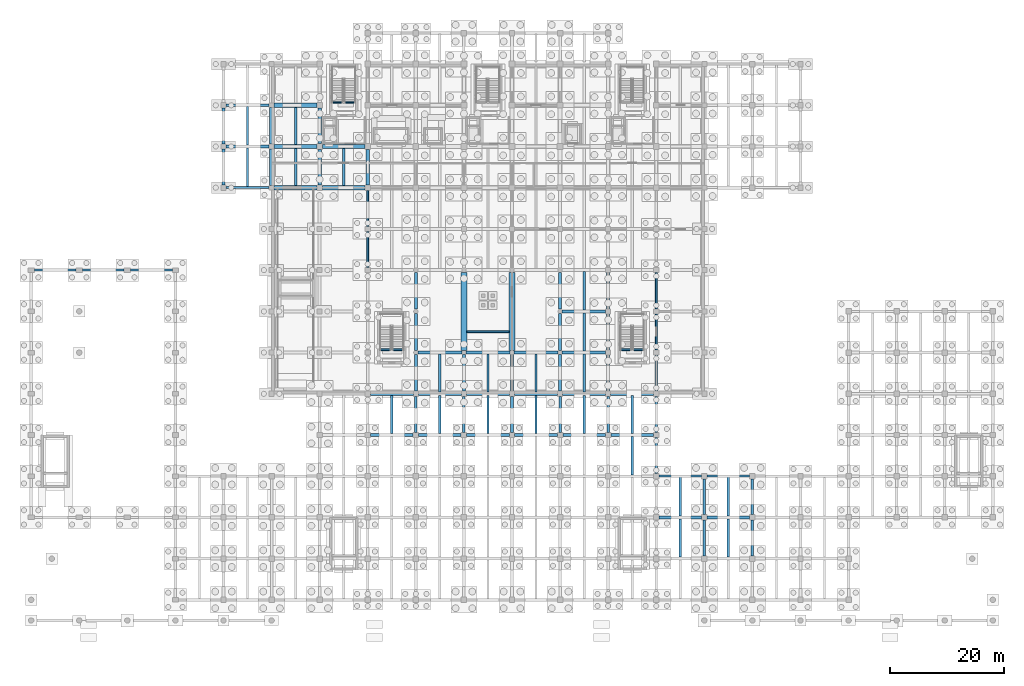
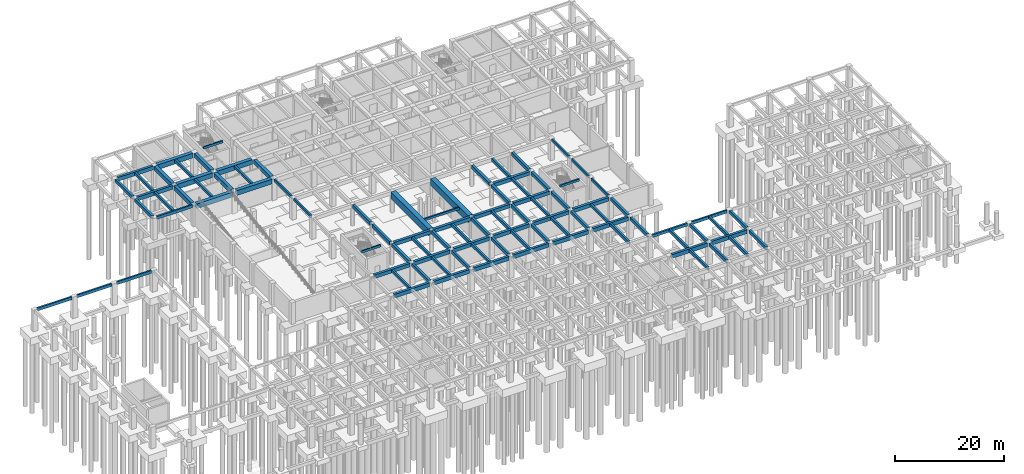
# One storey, part 14 of 26: 94 beams.
"""IFC4 building model written with IfcOpenShell, lengths in metres."""

from ifc_helpers import new_model, si_unit, direction, frame, origin, origin_2d, place, context, subcontext, project, spatial, rectangle, extrude, material, material_profile, profile_set, type_object, element, save


model = new_model("IFC4")

# Units and contexts
model_context = context("Model", 3, precision=1e-05, world=origin(), true_north=direction((0.0, 1.0)))
body_context = subcontext(model_context, "Body", "Model", "MODEL_VIEW")
ifc_project = project(units=[si_unit("LENGTHUNIT", "METRE"), si_unit("AREAUNIT", "SQUARE_METRE"), si_unit("VOLUMEUNIT", "CUBIC_METRE"), si_unit("PLANEANGLEUNIT", "RADIAN"), si_unit("MASSUNIT", "GRAM", prefix="KILO")], contexts=[model_context])

# Site, building, storey
site_placement = place(None, origin())
site = spatial("IfcSite", under=ifc_project, at=site_placement, CompositionType="ELEMENT")
building_placement = place(site_placement, origin())
building = spatial("IfcBuilding", under=site, at=building_placement, Name="Kenerak Square Central Library", CompositionType="ELEMENT")
storey_placement = place(building_placement, frame((0.0, 0.0, -4.800048828125)))
storey = spatial("IfcBuildingStorey", under=building, at=storey_placement, Name="B1", CompositionType="ELEMENT", Elevation=-4.800048828125)

# Beams
ifc_material_1 = material(Name="Concrete C45/55", Category="concrete")
ifc_material_profile_1 = material_profile(ifc_material_1, rectangle(XDim=0.64990234375, YDim=0.949951171875, at=origin_2d()), Name="RC 650x950")
ifc_profile_set_1 = profile_set([ifc_material_profile_1], Name="Concrete C45/55")
beam_type_1 = type_object("IfcBeamType", Name="Book Stack Girder B-02 RC 650x950 C45/55", PredefinedType="BEAM", material=ifc_profile_set_1)
for number, where, z_axis, x_axis, name in (
    (1, (50.0, 89.22509765625, 4.324951171875), (0.0, 1.0, 0.0), (-1.0, 0.0, 0.0), "Beam B-02 B1 0182"),
    (2, (50.0, 96.425048828125, 4.324951171875), (0.0, 1.0, 0.0), (-1.0, 0.0, 0.0), "Beam B-02 B1 0183"),
):
    element("IfcBeam", number, at=place(storey_placement, frame(where, z_axis=z_axis, x_axis=x_axis)), inside=storey, type_object=beam_type_1, Name=name, PredefinedType="BEAM", context=body_context, shape_type="SweptSolid", body=[
        extrude(rectangle(XDim=0.64990234375, YDim=0.949951171875, at=origin_2d()), origin(), (0.0, 0.0, 1.0), 6.349853515625),
    ])
for number, where, z_axis, x_axis, name in (
    (3, (58.39990234375, 89.300048828125, 4.324951171875), (0.0, 1.0, 0.0), (-1.0, 0.0, 0.0), "Beam B-02 B1 0190"),
    (4, (58.39990234375, 96.5, 4.324951171875), (0.0, 1.0, 0.0), (-1.0, 0.0, 0.0), "Beam B-02 B1 0191"),
    (5, (66.800048828125, 89.300048828125, 4.324951171875), (0.0, 1.0, 0.0), (-1.0, 0.0, 0.0), "Beam B-02 B1 0203"),
):
    element("IfcBeam", number, at=place(storey_placement, frame(where, z_axis=z_axis, x_axis=x_axis)), inside=storey, type_object=beam_type_1, Name=name, PredefinedType="BEAM", context=body_context, shape_type="SweptSolid", body=[
        extrude(rectangle(XDim=0.64990234375, YDim=0.949951171875, at=origin_2d()), origin(), (0.0, 0.0, 1.0), 6.199951171875),
    ])
ifc_material_profile_2 = material_profile(ifc_material_1, rectangle(XDim=0.75, YDim=1.050048828125, at=origin_2d()), Name="RC 750x1050")
ifc_profile_set_2 = profile_set([ifc_material_profile_2], Name="Concrete C45/55")
beam_type_2 = type_object("IfcBeamType", Name="Compact Stack Girder B-01 RC 750x1050 C45/55", PredefinedType="BEAM", material=ifc_profile_set_2)
beam_1_placement = place(storey_placement, frame((50.425048828125, 88.800048828125, 4.275146484375), z_axis=(1.0, 0.0, 0.0), x_axis=(0.0, 1.0, 0.0)))
element("IfcBeam", 6, at=beam_1_placement, inside=storey, type_object=beam_type_2, Name="Beam B-01 B1 0113", PredefinedType="BEAM", context=body_context, shape_type="SweptSolid", body=[
    extrude(rectangle(XDim=0.75, YDim=1.050048828125, at=origin_2d()), origin(), (0.0, 0.0, 1.0), 7.474853515625),
])
beam_2_placement = place(storey_placement, frame((58.89990234375, 88.800048828125, 4.275146484375), z_axis=(1.0, 0.0, 0.0), x_axis=(0.0, 1.0, 0.0)))
element("IfcBeam", 7, at=beam_2_placement, inside=storey, type_object=beam_type_2, Name="Beam B-01 B1 0114", PredefinedType="BEAM", context=body_context, shape_type="SweptSolid", body=[
    extrude(rectangle(XDim=0.75, YDim=1.050048828125, at=origin_2d()), origin(), (0.0, 0.0, 1.0), 7.400146484375),
])
beam_3_placement = place(storey_placement, frame((50.425048828125, 96.0, 4.275146484375), z_axis=(1.0, 0.0, 0.0), x_axis=(0.0, 1.0, 0.0)))
element("IfcBeam", 8, at=beam_3_placement, inside=storey, type_object=beam_type_2, Name="Beam B-01 B1 0125", PredefinedType="BEAM", context=body_context, shape_type="SweptSolid", body=[
    extrude(rectangle(XDim=0.75, YDim=1.050048828125, at=origin_2d()), origin(), (0.0, 0.0, 1.0), 7.474853515625),
])
beam_4_placement = place(storey_placement, frame((58.89990234375, 96.0, 4.275146484375), z_axis=(1.0, 0.0, 0.0), x_axis=(0.0, 1.0, 0.0)))
element("IfcBeam", 9, at=beam_4_placement, inside=storey, type_object=beam_type_2, Name="Beam B-01 B1 0126", PredefinedType="BEAM", context=body_context, shape_type="SweptSolid", body=[
    extrude(rectangle(XDim=0.75, YDim=1.050048828125, at=origin_2d()), origin(), (0.0, 0.0, 1.0), 7.400146484375),
])
beam_5_placement = place(storey_placement, frame((50.425048828125, 103.199951171875, 4.275146484375), z_axis=(1.0, 0.0, 0.0), x_axis=(0.0, 1.0, 0.0)))
element("IfcBeam", 10, at=beam_5_placement, inside=storey, type_object=beam_type_2, Name="Beam B-01 B1 0137", PredefinedType="BEAM", context=body_context, shape_type="SweptSolid", body=[
    extrude(rectangle(XDim=0.75, YDim=1.050048828125, at=origin_2d()), origin(), (0.0, 0.0, 1.0), 7.474853515625),
])
ifc_material_2 = material(Name="Concrete C40/50", Category="concrete")
ifc_material_profile_3 = material_profile(ifc_material_2, rectangle(XDim=0.300048828125, YDim=0.60009765625, at=origin_2d()), Name="RC 300x600")
ifc_profile_set_3 = profile_set([ifc_material_profile_3], Name="Concrete C40/50")
beam_type_3 = type_object("IfcBeamType", Name="Courtyard Spandrel Beam SP-02 RC 300x600 C40/50", PredefinedType="SPANDREL", material=ifc_profile_set_3)
beam_6_placement = place(storey_placement, frame((66.800048828125, 74.85009765625, 4.5), z_axis=(0.0, 1.0, 0.0), x_axis=(-1.0, 0.0, 0.0)))
element("IfcBeam", 11, at=beam_6_placement, inside=storey, type_object=beam_type_3, Name="Beam SP-02 B1 0201", PredefinedType="SPANDREL", context=body_context, shape_type="SweptSolid", body=[
    extrude(rectangle(XDim=0.300048828125, YDim=0.60009765625, at=origin_2d()), origin(), (0.0, 0.0, 1.0), 6.2998046875),
])
beam_7_placement = place(storey_placement, frame((66.800048828125, 82.050048828125, 4.5), z_axis=(0.0, 1.0, 0.0), x_axis=(-1.0, 0.0, 0.0)))
element("IfcBeam", 12, at=beam_7_placement, inside=storey, type_object=beam_type_3, Name="Beam SP-02 B1 0202", PredefinedType="SPANDREL", context=body_context, shape_type="SweptSolid", body=[
    extrude(rectangle(XDim=0.300048828125, YDim=0.60009765625, at=origin_2d()), origin(), (0.0, 0.0, 1.0), 6.25),
])
for number, where, z_axis, x_axis, name in (
    (13, (117.199951171875, 53.25, 4.5), (0.0, 1.0, 0.0), (-1.0, 0.0, 0.0), "Beam SP-02 B1 0278"),
    (14, (117.199951171875, 60.449951171875, 4.5), (0.0, 1.0, 0.0), (-1.0, 0.0, 0.0), "Beam SP-02 B1 0279"),
    (15, (117.199951171875, 67.64990234375, 4.5), (0.0, 1.0, 0.0), (-1.0, 0.0, 0.0), "Beam SP-02 B1 0280"),
):
    element("IfcBeam", number, at=place(storey_placement, frame(where, z_axis=z_axis, x_axis=x_axis)), inside=storey, type_object=beam_type_3, Name=name, PredefinedType="SPANDREL", context=body_context, shape_type="SweptSolid", body=[
        extrude(rectangle(XDim=0.300048828125, YDim=0.60009765625, at=origin_2d()), origin(), (0.0, 0.0, 1.0), 6.300048828125),
    ])
ifc_material_profile_4 = material_profile(ifc_material_2, rectangle(XDim=0.300048828125, YDim=0.5, at=origin_2d()), Name="RC 300x500")
ifc_profile_set_4 = profile_set([ifc_material_profile_4], Name="Concrete C40/50")
beam_type_4 = type_object("IfcBeamType", Name="Landing Support Beam B-08 RC 300x500 C40/50", PredefinedType="BEAM", material=ifc_profile_set_4)
beam_8_placement = place(storey_placement, frame((84.10009765625, 63.64990234375, 4.550048828125), z_axis=(1.0, 0.0, 0.0), x_axis=(0.0, 1.0, 0.0)))
element("IfcBeam", 16, at=beam_8_placement, inside=storey, type_object=beam_type_4, Name="Feature Stair ST-F1 Threshold Beam B-08", PredefinedType="BEAM", context=body_context, shape_type="SweptSolid", body=[
    extrude(rectangle(XDim=0.300048828125, YDim=0.5, at=origin_2d()), origin(), (0.0, 0.0, 1.0), 7.39990234375),
])
beam_9_placement = place(storey_placement, frame((60.52001953125, 103.7099609375, 4.550048828125), z_axis=(1.0, 0.0, 0.0), x_axis=(0.0, 1.0, 0.0)))
element("IfcBeam", 17, at=beam_9_placement, inside=storey, type_object=beam_type_4, Name="Stair Threshold Beam B-08 ST-01 L00", PredefinedType="BEAM", context=body_context, shape_type="SweptSolid", body=[
    extrude(rectangle(XDim=0.300048828125, YDim=0.5, at=origin_2d()), origin(), (0.0, 0.0, 1.0), 4.159912109375),
])
for number, where, z_axis, x_axis, name in (
    (18, (68.919921875, 60.510009765625, 4.550048828125), (1.0, 0.0, 0.0), (0.0, 1.0, 0.0), "Stair Threshold Beam B-08 ST-08 L00"),
    (19, (110.919921875, 60.510009765625, 4.550048828125), (1.0, 0.0, 0.0), (0.0, 1.0, 0.0), "Stair Threshold Beam B-08 ST-09 L00"),
):
    element("IfcBeam", number, at=place(storey_placement, frame(where, z_axis=z_axis, x_axis=x_axis)), inside=storey, type_object=beam_type_4, Name=name, PredefinedType="BEAM", context=body_context, shape_type="SweptSolid", body=[
        extrude(rectangle(XDim=0.300048828125, YDim=0.5, at=origin_2d()), origin(), (0.0, 0.0, 1.0), 4.16015625),
    ])
ifc_material_profile_5 = material_profile(ifc_material_2, rectangle(XDim=0.35009765625, YDim=0.64990234375, at=origin_2d()), Name="RC 350x650")
ifc_profile_set_5 = profile_set([ifc_material_profile_5], Name="Concrete C40/50")
beam_type_5 = type_object("IfcBeamType", Name="Perimeter Plinth Spandrel SP-03 RC 350x650 C40/50", PredefinedType="SPANDREL", material=ifc_profile_set_5)
for number, where, z_axis, x_axis, name in (
    (20, (117.675048828125, 38.39990234375, 4.47509765625), (1.0, 0.0, 0.0), (0.0, 1.0, 0.0), "Beam SP-03 B1 0059"),
    (21, (126.074951171875, 38.39990234375, 4.47509765625), (1.0, 0.0, 0.0), (0.0, 1.0, 0.0), "Beam SP-03 B1 0060"),
):
    element("IfcBeam", number, at=place(storey_placement, frame(where, z_axis=z_axis, x_axis=x_axis)), inside=storey, type_object=beam_type_5, Name=name, PredefinedType="SPANDREL", context=body_context, shape_type="SweptSolid", body=[
        extrude(rectangle(XDim=0.35009765625, YDim=0.64990234375, at=origin_2d()), origin(), (0.0, 0.0, 1.0), 7.449951171875),
    ])
for number, where, z_axis, x_axis, name in (
    (22, (8.550048828125, 74.39990234375, 4.47509765625), (1.0, 0.0, 0.0), (0.0, 1.0, 0.0), "Beam SP-03 B1 0097"),
    (23, (16.949951171875, 74.39990234375, 4.47509765625), (1.0, 0.0, 0.0), (0.0, 1.0, 0.0), "Beam SP-03 B1 0098"),
):
    element("IfcBeam", number, at=place(storey_placement, frame(where, z_axis=z_axis, x_axis=x_axis)), inside=storey, type_object=beam_type_5, Name=name, PredefinedType="SPANDREL", context=body_context, shape_type="SweptSolid", body=[
        extrude(rectangle(XDim=0.35009765625, YDim=0.64990234375, at=origin_2d()), origin(), (0.0, 0.0, 1.0), 7.300048828125),
    ])
beam_10_placement = place(storey_placement, frame((25.35009765625, 74.39990234375, 4.47509765625), z_axis=(1.0, 0.0, 0.0), x_axis=(0.0, 1.0, 0.0)))
element("IfcBeam", 24, at=beam_10_placement, inside=storey, type_object=beam_type_5, Name="Beam SP-03 B1 0099", PredefinedType="SPANDREL", context=body_context, shape_type="SweptSolid", body=[
    extrude(rectangle(XDim=0.35009765625, YDim=0.64990234375, at=origin_2d()), origin(), (0.0, 0.0, 1.0), 7.2998046875),
])
beam_11_placement = place(storey_placement, frame((42.074951171875, 88.800048828125, 4.47509765625), z_axis=(1.0, 0.0, 0.0), x_axis=(0.0, 1.0, 0.0)))
element("IfcBeam", 25, at=beam_11_placement, inside=storey, type_object=beam_type_5, Name="Beam SP-03 B1 0112", PredefinedType="SPANDREL", context=body_context, shape_type="SweptSolid", body=[
    extrude(rectangle(XDim=0.35009765625, YDim=0.64990234375, at=origin_2d()), origin(), (0.0, 0.0, 1.0), 7.5),
])
ifc_material_profile_6 = material_profile(ifc_material_2, rectangle(XDim=0.550048828125, YDim=0.800048828125, at=origin_2d()), Name="RC 550x800")
ifc_profile_set_6 = profile_set([ifc_material_profile_6], Name="Concrete C40/50")
beam_type_6 = type_object("IfcBeamType", Name="Primary Reading Beam B-04 RC 550x800 C40/50", PredefinedType="BEAM", material=ifc_profile_set_6)
for number, where, z_axis, x_axis, name in (
    (26, (67.25, 52.800048828125, 4.400146484375), (1.0, 0.0, 0.0), (0.0, 1.0, 0.0), "Beam B-04 B1 0077"),
    (27, (75.64990234375, 52.800048828125, 4.400146484375), (1.0, 0.0, 0.0), (0.0, 1.0, 0.0), "Beam B-04 B1 0078"),
    (28, (84.050048828125, 52.800048828125, 4.400146484375), (1.0, 0.0, 0.0), (0.0, 1.0, 0.0), "Beam B-04 B1 0079"),
    (29, (92.449951171875, 52.800048828125, 4.400146484375), (1.0, 0.0, 0.0), (0.0, 1.0, 0.0), "Beam B-04 B1 0080"),
    (30, (100.85009765625, 52.800048828125, 4.400146484375), (1.0, 0.0, 0.0), (0.0, 1.0, 0.0), "Beam B-04 B1 0081"),
    (31, (109.25, 52.800048828125, 4.400146484375), (1.0, 0.0, 0.0), (0.0, 1.0, 0.0), "Beam B-04 B1 0082"),
):
    element("IfcBeam", number, at=place(storey_placement, frame(where, z_axis=z_axis, x_axis=x_axis)), inside=storey, type_object=beam_type_6, Name=name, PredefinedType="BEAM", context=body_context, shape_type="SweptSolid", body=[
        extrude(rectangle(XDim=0.550048828125, YDim=0.800048828125, at=origin_2d()), origin(), (0.0, 0.0, 1.0), 7.5),
    ])
beam_12_placement = place(storey_placement, frame((75.574951171875, 60.0, 4.400146484375), z_axis=(1.0, 0.0, 0.0), x_axis=(0.0, 1.0, 0.0)))
element("IfcBeam", 32, at=beam_12_placement, inside=storey, type_object=beam_type_6, Name="Beam B-04 B1 0086", PredefinedType="BEAM", context=body_context, shape_type="SweptSolid", body=[
    extrude(rectangle(XDim=0.550048828125, YDim=0.800048828125, at=origin_2d()), origin(), (0.0, 0.0, 1.0), 7.650146484375),
])
for number, where, z_axis, x_axis, name in (
    (33, (83.97509765625, 60.0, 4.400146484375), (1.0, 0.0, 0.0), (0.0, 1.0, 0.0), "Beam B-04 B1 0087"),
    (34, (92.375, 60.0, 4.400146484375), (1.0, 0.0, 0.0), (0.0, 1.0, 0.0), "Beam B-04 B1 0088"),
):
    element("IfcBeam", number, at=place(storey_placement, frame(where, z_axis=z_axis, x_axis=x_axis)), inside=storey, type_object=beam_type_6, Name=name, PredefinedType="BEAM", context=body_context, shape_type="SweptSolid", body=[
        extrude(rectangle(XDim=0.550048828125, YDim=0.800048828125, at=origin_2d()), origin(), (0.0, 0.0, 1.0), 7.64990234375),
    ])
for number, where, z_axis, x_axis, name in (
    (35, (100.77490234375, 60.0, 4.400146484375), (1.0, 0.0, 0.0), (0.0, 1.0, 0.0), "Beam B-04 B1 0089"),
    (36, (100.77490234375, 67.199951171875, 4.400146484375), (1.0, 0.0, 0.0), (0.0, 1.0, 0.0), "Beam B-04 B1 0093"),
):
    element("IfcBeam", number, at=place(storey_placement, frame(where, z_axis=z_axis, x_axis=x_axis)), inside=storey, type_object=beam_type_6, Name=name, PredefinedType="BEAM", context=body_context, shape_type="SweptSolid", body=[
        extrude(rectangle(XDim=0.550048828125, YDim=0.800048828125, at=origin_2d()), origin(), (0.0, 0.0, 1.0), 7.5751953125),
    ])
ifc_material_profile_7 = material_profile(ifc_material_2, rectangle(XDim=0.39990234375, YDim=0.60009765625, at=origin_2d()), Name="RC 400x600")
ifc_profile_set_7 = profile_set([ifc_material_profile_7], Name="Concrete C40/50")
beam_type_7 = type_object("IfcBeamType", Name="Secondary Floor Joist J-01 RC 400x600 C40/50", PredefinedType="JOIST", material=ifc_profile_set_7)
beam_13_placement = place(storey_placement, frame((45.800048828125, 88.97509765625, 4.5), z_axis=(0.0, 1.0, 0.0), x_axis=(-1.0, 0.0, 0.0)))
element("IfcBeam", 37, at=beam_13_placement, inside=storey, type_object=beam_type_7, Name="Joist J-01 B1 0332", PredefinedType="JOIST", context=body_context, shape_type="SweptSolid", body=[
    extrude(rectangle(XDim=0.39990234375, YDim=0.60009765625, at=origin_2d()), origin(), (0.0, 0.0, 1.0), 6.77490234375),
])
beam_14_placement = place(storey_placement, frame((45.800048828125, 96.25, 4.5), z_axis=(0.0, 1.0, 0.0), x_axis=(-1.0, 0.0, 0.0)))
element("IfcBeam", 38, at=beam_14_placement, inside=storey, type_object=beam_type_7, Name="Joist J-01 B1 0333", PredefinedType="JOIST", context=body_context, shape_type="SweptSolid", body=[
    extrude(rectangle(XDim=0.39990234375, YDim=0.60009765625, at=origin_2d()), origin(), (0.0, 0.0, 1.0), 6.699951171875),
])
for number, where, z_axis, x_axis, name in (
    (39, (54.199951171875, 89.175048828125, 4.5), (0.0, 1.0, 0.0), (-1.0, 0.0, 0.0), "Joist J-01 B1 0338"),
    (40, (54.199951171875, 96.375, 4.5), (0.0, 1.0, 0.0), (-1.0, 0.0, 0.0), "Joist J-01 B1 0339"),
    (41, (62.60009765625, 89.175048828125, 4.5), (0.0, 1.0, 0.0), (-1.0, 0.0, 0.0), "Joist J-01 B1 0346"),
):
    element("IfcBeam", number, at=place(storey_placement, frame(where, z_axis=z_axis, x_axis=x_axis)), inside=storey, type_object=beam_type_7, Name=name, PredefinedType="JOIST", context=body_context, shape_type="SweptSolid", body=[
        extrude(rectangle(XDim=0.39990234375, YDim=0.60009765625, at=origin_2d()), origin(), (0.0, 0.0, 1.0), 6.449951171875),
    ])
for number, where, z_axis, x_axis, name in (
    (42, (71.0, 45.85009765625, 4.5), (0.0, 1.0, 0.0), (-1.0, 0.0, 0.0), "Joist J-01 B1 0351"),
    (43, (79.39990234375, 45.85009765625, 4.5), (0.0, 1.0, 0.0), (-1.0, 0.0, 0.0), "Joist J-01 B1 0361"),
):
    element("IfcBeam", number, at=place(storey_placement, frame(where, z_axis=z_axis, x_axis=x_axis)), inside=storey, type_object=beam_type_7, Name=name, PredefinedType="JOIST", context=body_context, shape_type="SweptSolid", body=[
        extrude(rectangle(XDim=0.39990234375, YDim=0.60009765625, at=origin_2d()), origin(), (0.0, 0.0, 1.0), 6.6748046875),
    ])
beam_15_placement = place(storey_placement, frame((79.39990234375, 53.074951171875, 4.5), z_axis=(0.0, 1.0, 0.0), x_axis=(-1.0, 0.0, 0.0)))
element("IfcBeam", 44, at=beam_15_placement, inside=storey, type_object=beam_type_7, Name="Joist J-01 B1 0362", PredefinedType="JOIST", context=body_context, shape_type="SweptSolid", body=[
    extrude(rectangle(XDim=0.39990234375, YDim=0.60009765625, at=origin_2d()), origin(), (0.0, 0.0, 1.0), 6.650146484375),
])
beam_16_placement = place(storey_placement, frame((87.800048828125, 45.85009765625, 4.5), z_axis=(0.0, 1.0, 0.0), x_axis=(-1.0, 0.0, 0.0)))
element("IfcBeam", 45, at=beam_16_placement, inside=storey, type_object=beam_type_7, Name="Joist J-01 B1 0372", PredefinedType="JOIST", context=body_context, shape_type="SweptSolid", body=[
    extrude(rectangle(XDim=0.39990234375, YDim=0.60009765625, at=origin_2d()), origin(), (0.0, 0.0, 1.0), 6.6748046875),
])
beam_17_placement = place(storey_placement, frame((87.800048828125, 53.074951171875, 4.5), z_axis=(0.0, 1.0, 0.0), x_axis=(-1.0, 0.0, 0.0)))
element("IfcBeam", 46, at=beam_17_placement, inside=storey, type_object=beam_type_7, Name="Joist J-01 B1 0373", PredefinedType="JOIST", context=body_context, shape_type="SweptSolid", body=[
    extrude(rectangle(XDim=0.39990234375, YDim=0.60009765625, at=origin_2d()), origin(), (0.0, 0.0, 1.0), 6.650146484375),
])
beam_18_placement = place(storey_placement, frame((96.199951171875, 45.85009765625, 4.5), z_axis=(0.0, 1.0, 0.0), x_axis=(-1.0, 0.0, 0.0)))
element("IfcBeam", 47, at=beam_18_placement, inside=storey, type_object=beam_type_7, Name="Joist J-01 B1 0381", PredefinedType="JOIST", context=body_context, shape_type="SweptSolid", body=[
    extrude(rectangle(XDim=0.39990234375, YDim=0.60009765625, at=origin_2d()), origin(), (0.0, 0.0, 1.0), 6.6748046875),
])
beam_19_placement = place(storey_placement, frame((96.199951171875, 53.074951171875, 4.5), z_axis=(0.0, 1.0, 0.0), x_axis=(-1.0, 0.0, 0.0)))
element("IfcBeam", 48, at=beam_19_placement, inside=storey, type_object=beam_type_7, Name="Joist J-01 B1 0382", PredefinedType="JOIST", context=body_context, shape_type="SweptSolid", body=[
    extrude(rectangle(XDim=0.39990234375, YDim=0.60009765625, at=origin_2d()), origin(), (0.0, 0.0, 1.0), 6.650146484375),
])
beam_20_placement = place(storey_placement, frame((104.60009765625, 45.85009765625, 4.5), z_axis=(0.0, 1.0, 0.0), x_axis=(-1.0, 0.0, 0.0)))
element("IfcBeam", 49, at=beam_20_placement, inside=storey, type_object=beam_type_7, Name="Joist J-01 B1 0393", PredefinedType="JOIST", context=body_context, shape_type="SweptSolid", body=[
    extrude(rectangle(XDim=0.39990234375, YDim=0.60009765625, at=origin_2d()), origin(), (0.0, 0.0, 1.0), 6.6748046875),
])
for number, where, z_axis, x_axis, name in (
    (50, (104.60009765625, 53.074951171875, 4.5), (0.0, 1.0, 0.0), (-1.0, 0.0, 0.0), "Joist J-01 B1 0394"),
    (51, (104.60009765625, 60.27490234375, 4.5), (0.0, 1.0, 0.0), (-1.0, 0.0, 0.0), "Joist J-01 B1 0395"),
):
    element("IfcBeam", number, at=place(storey_placement, frame(where, z_axis=z_axis, x_axis=x_axis)), inside=storey, type_object=beam_type_7, Name=name, PredefinedType="JOIST", context=body_context, shape_type="SweptSolid", body=[
        extrude(rectangle(XDim=0.39990234375, YDim=0.60009765625, at=origin_2d()), origin(), (0.0, 0.0, 1.0), 6.650146484375),
    ])
beam_21_placement = place(storey_placement, frame((104.60009765625, 67.47509765625, 4.5), z_axis=(0.0, 1.0, 0.0), x_axis=(-1.0, 0.0, 0.0)))
element("IfcBeam", 52, at=beam_21_placement, inside=storey, type_object=beam_type_7, Name="Joist J-01 B1 0396", PredefinedType="JOIST", context=body_context, shape_type="SweptSolid", body=[
    extrude(rectangle(XDim=0.39990234375, YDim=0.60009765625, at=origin_2d()), origin(), (0.0, 0.0, 1.0), 6.64990234375),
])
beam_22_placement = place(storey_placement, frame((113.0, 38.64990234375, 4.5), z_axis=(0.0, 1.0, 0.0), x_axis=(-1.0, 0.0, 0.0)))
element("IfcBeam", 53, at=beam_22_placement, inside=storey, type_object=beam_type_7, Name="Joist J-01 B1 0406", PredefinedType="JOIST", context=body_context, shape_type="SweptSolid", body=[
    extrude(rectangle(XDim=0.39990234375, YDim=0.60009765625, at=origin_2d()), origin(), (0.0, 0.0, 1.0), 6.7001953125),
])
beam_23_placement = place(storey_placement, frame((113.0, 45.85009765625, 4.5), z_axis=(0.0, 1.0, 0.0), x_axis=(-1.0, 0.0, 0.0)))
element("IfcBeam", 54, at=beam_23_placement, inside=storey, type_object=beam_type_7, Name="Joist J-01 B1 0407", PredefinedType="JOIST", context=body_context, shape_type="SweptSolid", body=[
    extrude(rectangle(XDim=0.39990234375, YDim=0.60009765625, at=origin_2d()), origin(), (0.0, 0.0, 1.0), 6.6748046875),
])
beam_24_placement = place(storey_placement, frame((121.39990234375, 24.25, 4.5), z_axis=(0.0, 1.0, 0.0), x_axis=(-1.0, 0.0, 0.0)))
element("IfcBeam", 55, at=beam_24_placement, inside=storey, type_object=beam_type_7, Name="Joist J-01 B1 0412", PredefinedType="JOIST", context=body_context, shape_type="SweptSolid", body=[
    extrude(rectangle(XDim=0.39990234375, YDim=0.60009765625, at=origin_2d()), origin(), (0.0, 0.0, 1.0), 6.699951171875),
])
beam_25_placement = place(storey_placement, frame((121.39990234375, 31.449951171875, 4.5), z_axis=(0.0, 1.0, 0.0), x_axis=(-1.0, 0.0, 0.0)))
element("IfcBeam", 56, at=beam_25_placement, inside=storey, type_object=beam_type_7, Name="Joist J-01 B1 0413", PredefinedType="JOIST", context=body_context, shape_type="SweptSolid", body=[
    extrude(rectangle(XDim=0.39990234375, YDim=0.60009765625, at=origin_2d()), origin(), (0.0, 0.0, 1.0), 6.775146484375),
])
beam_26_placement = place(storey_placement, frame((129.800048828125, 24.25, 4.5), z_axis=(0.0, 1.0, 0.0), x_axis=(-1.0, 0.0, 0.0)))
element("IfcBeam", 57, at=beam_26_placement, inside=storey, type_object=beam_type_7, Name="Joist J-01 B1 0418", PredefinedType="JOIST", context=body_context, shape_type="SweptSolid", body=[
    extrude(rectangle(XDim=0.39990234375, YDim=0.60009765625, at=origin_2d()), origin(), (0.0, 0.0, 1.0), 6.699951171875),
])
beam_27_placement = place(storey_placement, frame((129.800048828125, 31.449951171875, 4.5), z_axis=(0.0, 1.0, 0.0), x_axis=(-1.0, 0.0, 0.0)))
element("IfcBeam", 58, at=beam_27_placement, inside=storey, type_object=beam_type_7, Name="Joist J-01 B1 0419", PredefinedType="JOIST", context=body_context, shape_type="SweptSolid", body=[
    extrude(rectangle(XDim=0.39990234375, YDim=0.60009765625, at=origin_2d()), origin(), (0.0, 0.0, 1.0), 6.775146484375),
])
ifc_material_profile_8 = material_profile(ifc_material_2, rectangle(XDim=0.5, YDim=0.85009765625, at=origin_2d()), Name="RC 500x850")
ifc_profile_set_8 = profile_set([ifc_material_profile_8], Name="Concrete C40/50")
beam_type_8 = type_object("IfcBeamType", Name="Sub-Grade Plinth Girder B-09 RC 500x850 C40/50", PredefinedType="BEAM", material=ifc_profile_set_8)
for number, where, z_axis, x_axis, name in (
    (59, (117.675048828125, 31.199951171875, 4.375), (1.0, 0.0, 0.0), (0.0, 1.0, 0.0), "Beam B-09 B1 0042"),
    (60, (126.074951171875, 31.199951171875, 4.375), (1.0, 0.0, 0.0), (0.0, 1.0, 0.0), "Beam B-09 B1 0043"),
):
    element("IfcBeam", number, at=place(storey_placement, frame(where, z_axis=z_axis, x_axis=x_axis)), inside=storey, type_object=beam_type_8, Name=name, PredefinedType="BEAM", context=body_context, shape_type="SweptSolid", body=[
        extrude(rectangle(XDim=0.5, YDim=0.85009765625, at=origin_2d()), origin(), (0.0, 0.0, 1.0), 7.449951171875),
    ])
beam_28_placement = place(storey_placement, frame((67.27490234375, 45.60009765625, 4.375), z_axis=(1.0, 0.0, 0.0), x_axis=(0.0, 1.0, 0.0)))
element("IfcBeam", 61, at=beam_28_placement, inside=storey, type_object=beam_type_8, Name="Beam B-09 B1 0067", PredefinedType="BEAM", context=body_context, shape_type="SweptSolid", body=[
    extrude(rectangle(XDim=0.5, YDim=0.85009765625, at=origin_2d()), origin(), (0.0, 0.0, 1.0), 7.4501953125),
])
for number, where, z_axis, x_axis, name in (
    (62, (75.675048828125, 45.60009765625, 4.375), (1.0, 0.0, 0.0), (0.0, 1.0, 0.0), "Beam B-09 B1 0068"),
    (63, (84.074951171875, 45.60009765625, 4.375), (1.0, 0.0, 0.0), (0.0, 1.0, 0.0), "Beam B-09 B1 0069"),
    (64, (92.47509765625, 45.60009765625, 4.375), (1.0, 0.0, 0.0), (0.0, 1.0, 0.0), "Beam B-09 B1 0070"),
    (65, (100.875, 45.60009765625, 4.375), (1.0, 0.0, 0.0), (0.0, 1.0, 0.0), "Beam B-09 B1 0071"),
):
    element("IfcBeam", number, at=place(storey_placement, frame(where, z_axis=z_axis, x_axis=x_axis)), inside=storey, type_object=beam_type_8, Name=name, PredefinedType="BEAM", context=body_context, shape_type="SweptSolid", body=[
        extrude(rectangle(XDim=0.5, YDim=0.85009765625, at=origin_2d()), origin(), (0.0, 0.0, 1.0), 7.449951171875),
    ])
beam_29_placement = place(storey_placement, frame((109.27490234375, 45.60009765625, 4.375), z_axis=(1.0, 0.0, 0.0), x_axis=(0.0, 1.0, 0.0)))
element("IfcBeam", 66, at=beam_29_placement, inside=storey, type_object=beam_type_8, Name="Beam B-09 B1 0072", PredefinedType="BEAM", context=body_context, shape_type="SweptSolid", body=[
    extrude(rectangle(XDim=0.5, YDim=0.85009765625, at=origin_2d()), origin(), (0.0, 0.0, 1.0), 7.4501953125),
])
for number, where, z_axis, x_axis, name in (
    (67, (42.074951171875, 96.0, 4.375), (1.0, 0.0, 0.0), (0.0, 1.0, 0.0), "Beam B-09 B1 0124"),
    (68, (42.074951171875, 103.199951171875, 4.375), (1.0, 0.0, 0.0), (0.0, 1.0, 0.0), "Beam B-09 B1 0136"),
):
    element("IfcBeam", number, at=place(storey_placement, frame(where, z_axis=z_axis, x_axis=x_axis)), inside=storey, type_object=beam_type_8, Name=name, PredefinedType="BEAM", context=body_context, shape_type="SweptSolid", body=[
        extrude(rectangle(XDim=0.5, YDim=0.85009765625, at=origin_2d()), origin(), (0.0, 0.0, 1.0), 7.5),
    ])
ifc_material_profile_9 = material_profile(ifc_material_2, rectangle(XDim=0.449951171875, YDim=0.699951171875, at=origin_2d()), Name="RC 450x700")
ifc_profile_set_9 = profile_set([ifc_material_profile_9], Name="Concrete C40/50")
beam_type_9 = type_object("IfcBeamType", Name="Sub-Grade Tie Beam B-10 RC 450x700 C40/50", PredefinedType="BEAM", material=ifc_profile_set_9)
for number, where, z_axis, x_axis, name in (
    (69, (41.60009765625, 89.27490234375, 4.449951171875), (0.0, 1.0, 0.0), (-1.0, 0.0, 0.0), "Beam B-10 B1 0176"),
    (70, (41.60009765625, 96.47509765625, 4.449951171875), (0.0, 1.0, 0.0), (-1.0, 0.0, 0.0), "Beam B-10 B1 0177"),
):
    element("IfcBeam", number, at=place(storey_placement, frame(where, z_axis=z_axis, x_axis=x_axis)), inside=storey, type_object=beam_type_9, Name=name, PredefinedType="BEAM", context=body_context, shape_type="SweptSolid", body=[
        extrude(rectangle(XDim=0.449951171875, YDim=0.699951171875, at=origin_2d()), origin(), (0.0, 0.0, 1.0), 6.25),
    ])
for number, where, z_axis, x_axis, name in (
    (71, (75.199951171875, 46.074951171875, 4.449951171875), (0.0, 1.0, 0.0), (-1.0, 0.0, 0.0), "Beam B-10 B1 0211"),
    (72, (83.60009765625, 46.074951171875, 4.449951171875), (0.0, 1.0, 0.0), (-1.0, 0.0, 0.0), "Beam B-10 B1 0225"),
    (73, (92.0, 46.074951171875, 4.449951171875), (0.0, 1.0, 0.0), (-1.0, 0.0, 0.0), "Beam B-10 B1 0237"),
    (74, (100.39990234375, 46.074951171875, 4.449951171875), (0.0, 1.0, 0.0), (-1.0, 0.0, 0.0), "Beam B-10 B1 0249"),
    (75, (108.800048828125, 46.074951171875, 4.449951171875), (0.0, 1.0, 0.0), (-1.0, 0.0, 0.0), "Beam B-10 B1 0263"),
):
    element("IfcBeam", number, at=place(storey_placement, frame(where, z_axis=z_axis, x_axis=x_axis)), inside=storey, type_object=beam_type_9, Name=name, PredefinedType="BEAM", context=body_context, shape_type="SweptSolid", body=[
        extrude(rectangle(XDim=0.449951171875, YDim=0.699951171875, at=origin_2d()), origin(), (0.0, 0.0, 1.0), 6.275146484375),
    ])
beam_30_placement = place(storey_placement, frame((117.199951171875, 38.875, 4.449951171875), z_axis=(0.0, 1.0, 0.0), x_axis=(-1.0, 0.0, 0.0)))
element("IfcBeam", 76, at=beam_30_placement, inside=storey, type_object=beam_type_9, Name="Beam B-10 B1 0276", PredefinedType="BEAM", context=body_context, shape_type="SweptSolid", body=[
    extrude(rectangle(XDim=0.449951171875, YDim=0.699951171875, at=origin_2d()), origin(), (0.0, 0.0, 1.0), 6.25),
])
beam_31_placement = place(storey_placement, frame((117.199951171875, 46.074951171875, 4.449951171875), z_axis=(0.0, 1.0, 0.0), x_axis=(-1.0, 0.0, 0.0)))
element("IfcBeam", 77, at=beam_31_placement, inside=storey, type_object=beam_type_9, Name="Beam B-10 B1 0277", PredefinedType="BEAM", context=body_context, shape_type="SweptSolid", body=[
    extrude(rectangle(XDim=0.449951171875, YDim=0.699951171875, at=origin_2d()), origin(), (0.0, 0.0, 1.0), 6.275146484375),
])
for number, where, z_axis, x_axis, name in (
    (78, (125.60009765625, 24.47509765625, 4.449951171875), (0.0, 1.0, 0.0), (-1.0, 0.0, 0.0), "Beam B-10 B1 0287"),
    (79, (125.60009765625, 31.675048828125, 4.449951171875), (0.0, 1.0, 0.0), (-1.0, 0.0, 0.0), "Beam B-10 B1 0288"),
    (80, (134.0, 24.47509765625, 4.449951171875), (0.0, 1.0, 0.0), (-1.0, 0.0, 0.0), "Beam B-10 B1 0293"),
    (81, (134.0, 31.675048828125, 4.449951171875), (0.0, 1.0, 0.0), (-1.0, 0.0, 0.0), "Beam B-10 B1 0294"),
):
    element("IfcBeam", number, at=place(storey_placement, frame(where, z_axis=z_axis, x_axis=x_axis)), inside=storey, type_object=beam_type_9, Name=name, PredefinedType="BEAM", context=body_context, shape_type="SweptSolid", body=[
        extrude(rectangle(XDim=0.449951171875, YDim=0.699951171875, at=origin_2d()), origin(), (0.0, 0.0, 1.0), 6.25),
    ])
ifc_material_profile_10 = material_profile(ifc_material_1, rectangle(XDim=1.0, YDim=1.5, at=origin_2d()), Name="RC 1000x1500")
ifc_profile_set_10 = profile_set([ifc_material_profile_10], Name="Concrete C45/55")
beam_type_10 = type_object("IfcBeamType", Name="Transfer Girder TG-01 RC 1000x1500 C45/55", PredefinedType="BEAM", material=ifc_profile_set_10)
for number, where, z_axis, x_axis, name in (
    (82, (83.60009765625, 60.375, 4.050048828125), (0.0, 1.0, 0.0), (-1.0, 0.0, 0.0), "Atrium Feature Stair Primary Transfer Girder 1"),
    (83, (92.0, 60.375, 4.050048828125), (0.0, 1.0, 0.0), (-1.0, 0.0, 0.0), "Atrium Feature Stair Primary Transfer Girder 2"),
):
    element("IfcBeam", number, at=place(storey_placement, frame(where, z_axis=z_axis, x_axis=x_axis)), inside=storey, type_object=beam_type_10, Name=name, PredefinedType="BEAM", context=body_context, shape_type="SweptSolid", body=[
        extrude(rectangle(XDim=1.0, YDim=1.5, at=origin_2d()), origin(), (0.0, 0.0, 1.0), 13.64990234375),
    ])
ifc_material_profile_11 = material_profile(ifc_material_2, rectangle(XDim=0.5, YDim=0.75, at=origin_2d()), Name="RC 500x750")
ifc_profile_set_11 = profile_set([ifc_material_profile_11], Name="Concrete C40/50")
beam_type_11 = type_object("IfcBeamType", Name="Transverse Frame Beam B-05 RC 500x750 C40/50", PredefinedType="BEAM", material=ifc_profile_set_11)
beam_32_placement = place(storey_placement, frame((75.199951171875, 53.25, 4.425048828125), z_axis=(0.0, 1.0, 0.0), x_axis=(-1.0, 0.0, 0.0)))
element("IfcBeam", 84, at=beam_32_placement, inside=storey, type_object=beam_type_11, Name="Beam B-05 B1 0212", PredefinedType="BEAM", context=body_context, shape_type="SweptSolid", body=[
    extrude(rectangle(XDim=0.5, YDim=0.75, at=origin_2d()), origin(), (0.0, 0.0, 1.0), 6.375),
])
for number, where, z_axis, x_axis, name in (
    (85, (75.199951171875, 60.375, 4.425048828125), (0.0, 1.0, 0.0), (-1.0, 0.0, 0.0), "Beam B-05 B1 0213"),
    (86, (75.199951171875, 67.574951171875, 4.425048828125), (0.0, 1.0, 0.0), (-1.0, 0.0, 0.0), "Beam B-05 B1 0214"),
):
    element("IfcBeam", number, at=place(storey_placement, frame(where, z_axis=z_axis, x_axis=x_axis)), inside=storey, type_object=beam_type_11, Name=name, PredefinedType="BEAM", context=body_context, shape_type="SweptSolid", body=[
        extrude(rectangle(XDim=0.5, YDim=0.75, at=origin_2d()), origin(), (0.0, 0.0, 1.0), 6.449951171875),
    ])
for number, where, z_axis, x_axis, name in (
    (87, (83.60009765625, 53.25, 4.425048828125), (0.0, 1.0, 0.0), (-1.0, 0.0, 0.0), "Beam B-05 B1 0226"),
    (88, (92.0, 53.25, 4.425048828125), (0.0, 1.0, 0.0), (-1.0, 0.0, 0.0), "Beam B-05 B1 0238"),
    (89, (100.39990234375, 53.25, 4.425048828125), (0.0, 1.0, 0.0), (-1.0, 0.0, 0.0), "Beam B-05 B1 0250"),
):
    element("IfcBeam", number, at=place(storey_placement, frame(where, z_axis=z_axis, x_axis=x_axis)), inside=storey, type_object=beam_type_11, Name=name, PredefinedType="BEAM", context=body_context, shape_type="SweptSolid", body=[
        extrude(rectangle(XDim=0.5, YDim=0.75, at=origin_2d()), origin(), (0.0, 0.0, 1.0), 6.375),
    ])
for number, where, z_axis, x_axis, name in (
    (90, (100.39990234375, 60.375, 4.425048828125), (0.0, 1.0, 0.0), (-1.0, 0.0, 0.0), "Beam B-05 B1 0251"),
    (91, (100.39990234375, 67.574951171875, 4.425048828125), (0.0, 1.0, 0.0), (-1.0, 0.0, 0.0), "Beam B-05 B1 0252"),
):
    element("IfcBeam", number, at=place(storey_placement, frame(where, z_axis=z_axis, x_axis=x_axis)), inside=storey, type_object=beam_type_11, Name=name, PredefinedType="BEAM", context=body_context, shape_type="SweptSolid", body=[
        extrude(rectangle(XDim=0.5, YDim=0.75, at=origin_2d()), origin(), (0.0, 0.0, 1.0), 6.449951171875),
    ])
for number, where, z_axis, x_axis, name in (
    (92, (108.800048828125, 53.25, 4.425048828125), (0.0, 1.0, 0.0), (-1.0, 0.0, 0.0), "Beam B-05 B1 0264"),
    (93, (108.800048828125, 60.449951171875, 4.425048828125), (0.0, 1.0, 0.0), (-1.0, 0.0, 0.0), "Beam B-05 B1 0265"),
    (94, (108.800048828125, 67.64990234375, 4.425048828125), (0.0, 1.0, 0.0), (-1.0, 0.0, 0.0), "Beam B-05 B1 0266"),
):
    element("IfcBeam", number, at=place(storey_placement, frame(where, z_axis=z_axis, x_axis=x_axis)), inside=storey, type_object=beam_type_11, Name=name, PredefinedType="BEAM", context=body_context, shape_type="SweptSolid", body=[
        extrude(rectangle(XDim=0.5, YDim=0.75, at=origin_2d()), origin(), (0.0, 0.0, 1.0), 6.300048828125),
    ])

save(model, "model.ifc")
